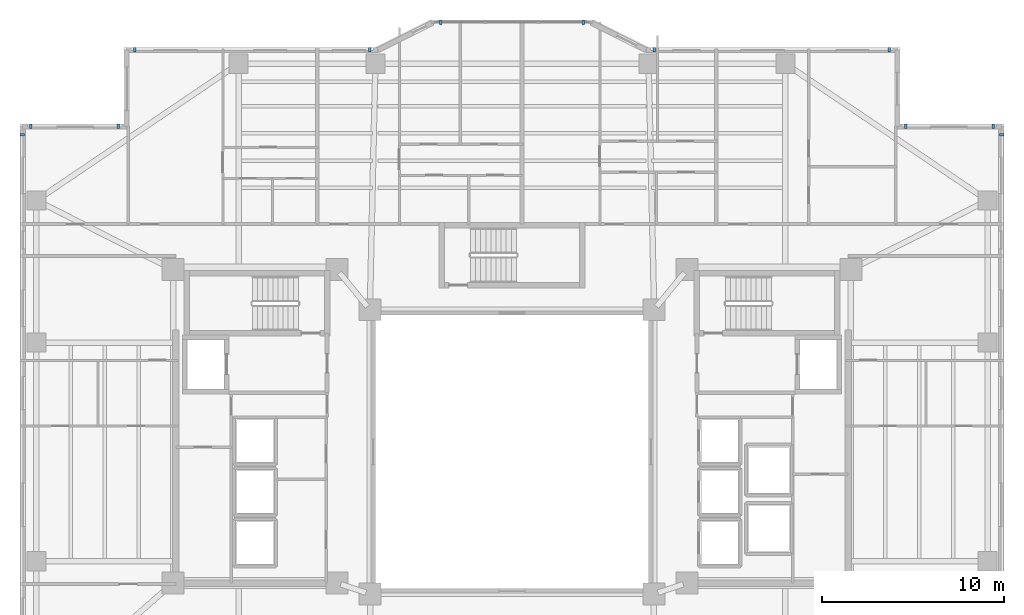
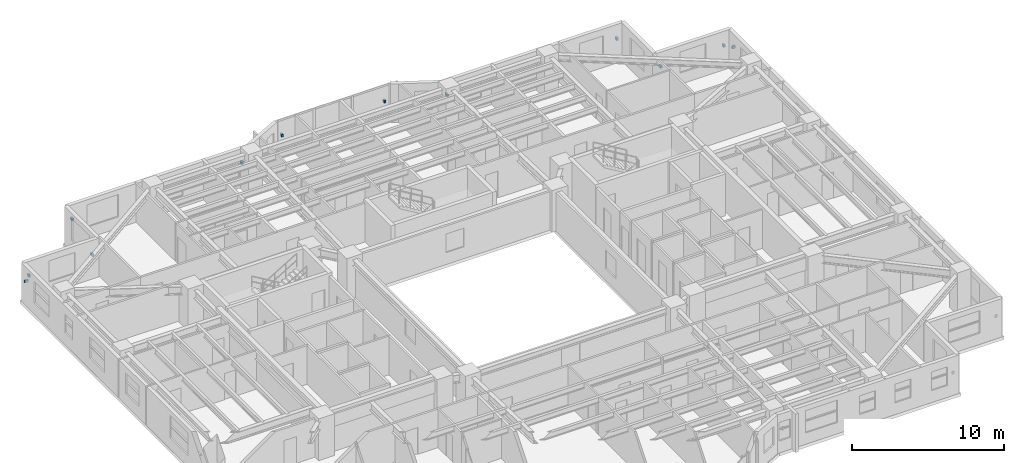
# One storey, part 14 of 19: 12 discrete accessories.
"""IFC4 building model written with IfcOpenShell, lengths in metres."""

from ifc_helpers import new_model, si_unit, direction, frame, origin, origin_2d, place, context, subcontext, project, spatial, rectangle, extrude, material, type_object, element, save


model = new_model("IFC4")

# Units and contexts
model_context = context("Model", 3, precision=1e-05, world=origin(), true_north=direction((0.0, 1.0)))
body_context = subcontext(model_context, "Body", "Model", "MODEL_VIEW")
ifc_project = project(units=[si_unit("LENGTHUNIT", "METRE"), si_unit("AREAUNIT", "SQUARE_METRE"), si_unit("VOLUMEUNIT", "CUBIC_METRE"), si_unit("PLANEANGLEUNIT", "RADIAN"), si_unit("MASSUNIT", "GRAM", prefix="KILO")], contexts=[model_context])

# Site, building, storey
site_placement = place(None, origin())
site = spatial("IfcSite", under=ifc_project, at=site_placement, CompositionType="ELEMENT")
building_placement = place(site_placement, origin())
building = spatial("IfcBuilding", under=site, at=building_placement, Name="Tarnavaz Court Tower", CompositionType="ELEMENT")
storey_placement = place(building_placement, frame((0.0, 0.0, 111.800048828125)))
storey = spatial("IfcBuildingStorey", under=building, at=storey_placement, Name="L30", CompositionType="ELEMENT", Elevation=111.800048828125)

# Discrete accessories
ifc_material = material(Name="Anodised Aluminium 6063-T6", Category="aluminium")
discrete_accessory_type = type_object("IfcDiscreteAccessoryType", Name="DA-BRKT-ALU", PredefinedType="BRACKET", material=ifc_material)
for number, where, z_axis, x_axis, name in (
    (1, (-26.8701171875, 17.39990234375, 1.75), (0.0, 0.0, 1.0), (0.0, 1.0, 0.0), "L30 Baguette Outrigger Bracket FBG02-2"),
    (2, (-26.39990234375, 17.8701171875, 1.75), (0.0, 0.0, 1.0), (1.0, 0.0, 0.0), "L30 Baguette Outrigger Bracket FBG03-1"),
    (3, (-21.60009765625, 17.8701171875, 1.75), (0.0, 0.0, 1.0), (1.0, 0.0, 0.0), "L30 Baguette Outrigger Bracket FBG03-2"),
    (4, (-20.699951171875, 22.070068359375, 1.75), (0.0, 0.0, 1.0), (1.0, 0.0, 0.0), "L30 Baguette Outrigger Bracket FBG05-1"),
    (5, (-7.800048828125, 22.070068359375, 1.75), (0.0, 0.0, 1.0), (1.0, 0.0, 0.0), "L30 Baguette Outrigger Bracket FBG05-2"),
    (6, (-3.89990234375, 23.570068359375, 1.7001953125), (0.0, 0.0, 1.0), (1.0, 0.0, 0.0), "L30 Baguette Outrigger Bracket PBG7-1"),
    (7, (3.89990234375, 23.570068359375, 1.7001953125), (0.0, 0.0, 1.0), (1.0, 0.0, 0.0), "L30 Baguette Outrigger Bracket PBG7-2"),
    (8, (7.800048828125, 22.070068359375, 1.75), (0.0, 0.0, 1.0), (1.0, 0.0, 0.0), "L30 Baguette Outrigger Bracket FBG09-1"),
    (9, (20.699951171875, 22.070068359375, 1.75), (0.0, 0.0, 1.0), (1.0, 0.0, 0.0), "L30 Baguette Outrigger Bracket FBG09-2"),
    (10, (21.60009765625, 17.8701171875, 1.75), (0.0, 0.0, 1.0), (1.0, 0.0, 0.0), "L30 Baguette Outrigger Bracket FBG11-1"),
    (11, (26.39990234375, 17.8701171875, 1.75), (0.0, 0.0, 1.0), (1.0, 0.0, 0.0), "L30 Baguette Outrigger Bracket FBG11-2"),
    (12, (26.8701171875, 17.39990234375, 1.75), (0.0, 0.0, 1.0), (0.0, -1.0, 0.0), "L30 Baguette Outrigger Bracket FBG12-1"),
):
    element("IfcDiscreteAccessory", number, at=place(storey_placement, frame(where, z_axis=z_axis, x_axis=x_axis)), inside=storey, type_object=discrete_accessory_type, Name=name, PredefinedType="BRACKET", context=body_context, shape_type="SweptSolid", body=[
        extrude(rectangle(XDim=0.139892578125, YDim=0.239990234375, at=origin_2d()), origin(), (0.0, 0.0, 1.0), 0.199951171875),
    ])

save(model, "model.ifc")
